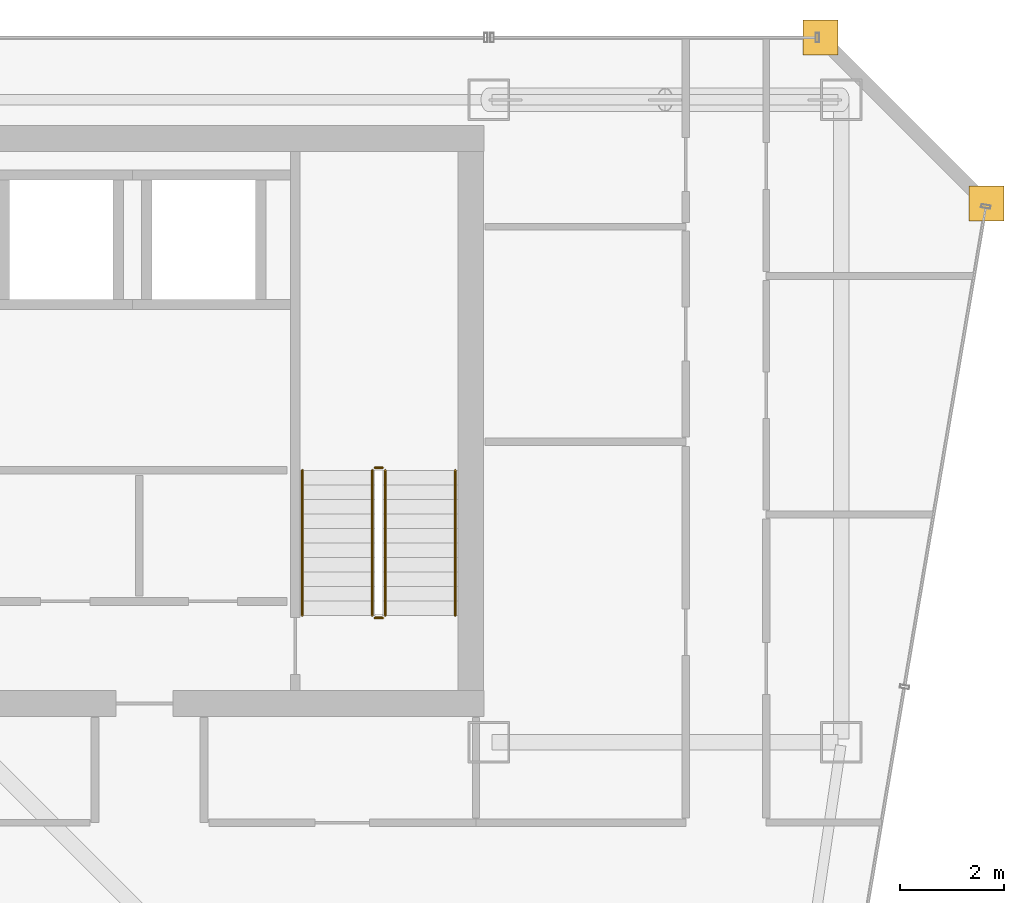
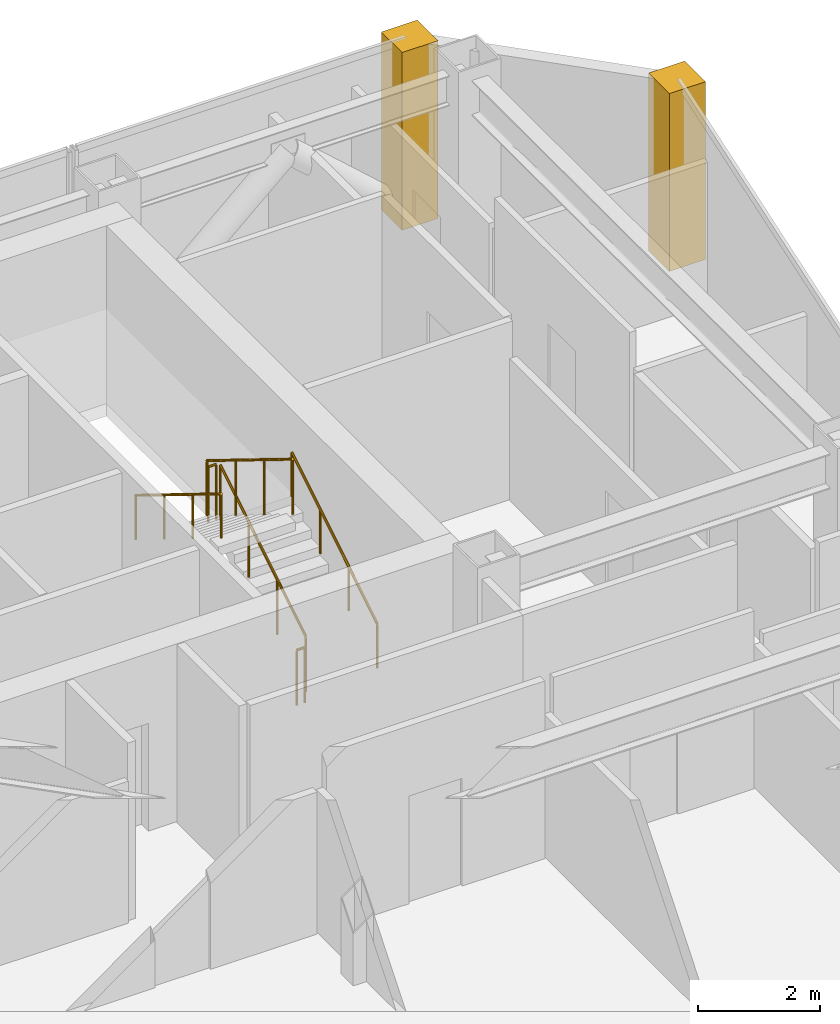
# One storey, part 36 of 36: 6 railings, 2 coverings.
"""IFC4 building model written with IfcOpenShell, lengths in metres."""

from ifc_helpers import new_model, si_unit, direction, frame, origin, origin_2d, place, context, subcontext, project, spatial, polyline, circle, outline, extrude, material, layer, layer_set, type_object, element, save


model = new_model("IFC4")

# Units and contexts
model_context = context("Model", 3, precision=1e-05, world=origin(), true_north=direction((0.0, 1.0)))
body_context = subcontext(model_context, "Body", "Model", "MODEL_VIEW")
ifc_project = project(units=[si_unit("LENGTHUNIT", "METRE"), si_unit("AREAUNIT", "SQUARE_METRE"), si_unit("VOLUMEUNIT", "CUBIC_METRE"), si_unit("PLANEANGLEUNIT", "RADIAN"), si_unit("MASSUNIT", "GRAM", prefix="KILO")], contexts=[model_context])

# Site, building, storey
site_placement = place(None, origin())
site = spatial("IfcSite", under=ifc_project, at=site_placement, CompositionType="ELEMENT")
building_placement = place(site_placement, origin())
building = spatial("IfcBuilding", under=site, at=building_placement, Name="Saevonmaru Cultural Tower", CompositionType="ELEMENT")
storey_placement = place(building_placement, frame((0.0, 0.0, 201.800048828125)))
storey = spatial("IfcBuildingStorey", under=building, at=storey_placement, Name="L46", CompositionType="ELEMENT", Elevation=201.800048828125)

# Coverings
ifc_material_1 = material(Name="Satin Bronze Anodised Aluminium", Category="aluminium")
ifc_layer = layer(ifc_material_1, 0.679931640625, Name="Satin Bronze Anodised Aluminium")
ifc_layer_set = layer_set([ifc_layer], Name="Satin Bronze Anodised Aluminium")
covering_type = type_object("IfcCoveringType", Name="CV-CORNER-CLAD", PredefinedType="CLADDING", material=ifc_layer_set)
covering_1_placement = place(storey_placement, origin())
element("IfcCovering", 1, at=covering_1_placement, inside=storey, type_object=covering_type, Name="L46 Tower Bronze Corner Cladding Pier 9", PredefinedType="CLADDING", context=body_context, shape_type="SweptSolid", body=[
    extrude(outline(polyline([(55.659912109375, 52.4599609375), (56.340087890625, 52.4599609375), (56.340087890625, 53.139892578125), (55.659912109375, 53.139892578125), (55.659912109375, 52.4599609375)])), origin(), (0.0, 0.0, 1.0), 3.550048828125),
])
covering_2_placement = place(storey_placement, origin())
element("IfcCovering", 2, at=covering_2_placement, inside=storey, type_object=covering_type, Name="L46 Tower Bronze Corner Cladding Pier 10", PredefinedType="CLADDING", context=body_context, shape_type="SweptSolid", body=[
    extrude(outline(polyline([(52.4599609375, 55.659912109375), (53.139892578125, 55.659912109375), (53.139892578125, 56.340087890625), (52.4599609375, 56.340087890625), (52.4599609375, 55.659912109375)])), origin(), (0.0, 0.0, 1.0), 3.550048828125),
])

# Railings
ifc_material_2 = material(Name="Architectural Painted Steel", Category="steel")
railing_type_1 = type_object("IfcRailingType", Name="RL-STAIR-GUARD", PredefinedType="GUARDRAIL", material=ifc_material_2)
railing_1_placement = place(storey_placement, frame((44.39990234375, 44.85009765625, 0.172607421875)))
element("IfcRailing", 3, at=railing_1_placement, inside=storey, type_object=railing_type_1, Name="L46 ST-2 stair guard 1", PredefinedType="GUARDRAIL", context=body_context, shape_type="SweptSolid", body=[
    extrude(circle(Radius=0.02392578125, at=origin_2d()), frame((0.0, 0.0, 1.09619140625), z_axis=(0.0, 0.851069175582, 0.525053576669), x_axis=(-1.0, 0.0, 0.0)), (0.0, 0.0, 1.0), 3.289794921875),
    extrude(circle(Radius=0.02099609375, at=origin_2d()), origin(), (0.0, 0.0, 1.0), 1.072021484375),
    extrude(circle(Radius=0.02099609375, at=origin_2d()), frame((0.0, 0.933349609375, 0.57568359375)), (0.0, 0.0, 1.0), 1.072021484375),
    extrude(circle(Radius=0.02099609375, at=origin_2d()), frame((0.0, 1.866455078125, 1.151611328125)), (0.0, 0.0, 1.0), 1.072021484375),
    extrude(circle(Radius=0.02099609375, at=origin_2d()), frame((0.0, 2.7998046875, 1.727294921875)), (0.0, 0.0, 1.0), 1.072021484375),
])
railing_2_placement = place(storey_placement, frame((44.35009765625, 47.699951171875, 1.89990234375)))
element("IfcRailing", 4, at=railing_2_placement, inside=storey, type_object=railing_type_1, Name="L46 ST-2 stair guard 2", PredefinedType="GUARDRAIL", context=body_context, shape_type="SweptSolid", body=[
    extrude(circle(Radius=0.02392578125, at=origin_2d()), frame((0.0, 0.0, 1.09619140625), z_axis=(-1.0, 0.0, 0.0), x_axis=(0.0, -1.0, 0.0)), (0.0, 0.0, 1.0), 0.150146484375),
    extrude(circle(Radius=0.02099609375, at=origin_2d()), origin(), (0.0, 0.0, 1.0), 1.072021484375),
    extrude(circle(Radius=0.02099609375, at=origin_2d()), frame((-0.150146484375, 0.0, 0.0)), (0.0, 0.0, 1.0), 1.072021484375),
])
railing_3_placement = place(storey_placement, frame((44.14990234375, 47.64990234375, 2.07275390625)))
element("IfcRailing", 5, at=railing_3_placement, inside=storey, type_object=railing_type_1, Name="L46 ST-2 stair guard 3", PredefinedType="GUARDRAIL", context=body_context, shape_type="SweptSolid", body=[
    extrude(circle(Radius=0.02392578125, at=origin_2d()), frame((0.0, 0.0, 1.09619140625), z_axis=(0.0, -0.851069175582, 0.525053576669), x_axis=(1.0, 0.0, 0.0)), (0.0, 0.0, 1.0), 3.289794921875),
    extrude(circle(Radius=0.02099609375, at=origin_2d()), origin(), (0.0, 0.0, 1.0), 1.072021484375),
    extrude(circle(Radius=0.02099609375, at=origin_2d()), frame((0.0, -0.933349609375, 0.57568359375)), (0.0, 0.0, 1.0), 1.072021484375),
    extrude(circle(Radius=0.02099609375, at=origin_2d()), frame((0.0, -1.866455078125, 1.151611328125)), (0.0, 0.0, 1.0), 1.072021484375),
    extrude(circle(Radius=0.02099609375, at=origin_2d()), frame((0.0, -2.7998046875, 1.727294921875)), (0.0, 0.0, 1.0), 1.072021484375),
])
railing_4_placement = place(storey_placement, frame((44.35009765625, 44.800048828125, 0.0)))
element("IfcRailing", 6, at=railing_4_placement, inside=storey, type_object=railing_type_1, Name="L46 ST-2 stair guard 4", PredefinedType="GUARDRAIL", context=body_context, shape_type="SweptSolid", body=[
    extrude(circle(Radius=0.02392578125, at=origin_2d()), frame((0.0, 0.0, 1.09619140625), z_axis=(-1.0, 0.0, 0.0), x_axis=(0.0, -1.0, 0.0)), (0.0, 0.0, 1.0), 0.150146484375),
    extrude(circle(Radius=0.02099609375, at=origin_2d()), origin(), (0.0, 0.0, 1.0), 1.072021484375),
    extrude(circle(Radius=0.02099609375, at=origin_2d()), frame((-0.150146484375, 0.0, 0.0)), (0.0, 0.0, 1.0), 1.072021484375),
])
railing_type_2 = type_object("IfcRailingType", Name="RL-STAIR-HANDRAIL", PredefinedType="HANDRAIL", material=ifc_material_1)
railing_5_placement = place(storey_placement, frame((45.75, 44.85009765625, 0.172607421875)))
element("IfcRailing", 7, at=railing_5_placement, inside=storey, type_object=railing_type_2, Name="L46 ST-2 stair handrail 1", PredefinedType="HANDRAIL", context=body_context, shape_type="SweptSolid", body=[
    extrude(circle(Radius=0.02392578125, at=origin_2d()), frame((0.0, 0.0, 0.8759765625), z_axis=(0.0, 0.851069175582, 0.525053576669), x_axis=(-1.0, 0.0, 0.0)), (0.0, 0.0, 1.0), 3.289794921875),
    extrude(circle(Radius=0.02099609375, at=origin_2d()), origin(), (0.0, 0.0, 1.0), 0.851806640625),
    extrude(circle(Radius=0.02099609375, at=origin_2d()), frame((0.0, 0.933349609375, 0.57568359375)), (0.0, 0.0, 1.0), 0.851806640625),
    extrude(circle(Radius=0.02099609375, at=origin_2d()), frame((0.0, 1.866455078125, 1.151611328125)), (0.0, 0.0, 1.0), 0.851806640625),
    extrude(circle(Radius=0.02099609375, at=origin_2d()), frame((0.0, 2.7998046875, 1.727294921875)), (0.0, 0.0, 1.0), 0.851806640625),
])
railing_6_placement = place(storey_placement, frame((42.800048828125, 47.64990234375, 2.07275390625)))
element("IfcRailing", 8, at=railing_6_placement, inside=storey, type_object=railing_type_2, Name="L46 ST-2 stair handrail 2", PredefinedType="HANDRAIL", context=body_context, shape_type="SweptSolid", body=[
    extrude(circle(Radius=0.02392578125, at=origin_2d()), frame((0.0, 0.0, 0.8759765625), z_axis=(0.0, -0.851069175582, 0.525053576669), x_axis=(1.0, 0.0, 0.0)), (0.0, 0.0, 1.0), 3.289794921875),
    extrude(circle(Radius=0.02099609375, at=origin_2d()), origin(), (0.0, 0.0, 1.0), 0.851806640625),
    extrude(circle(Radius=0.02099609375, at=origin_2d()), frame((0.0, -0.933349609375, 0.57568359375)), (0.0, 0.0, 1.0), 0.851806640625),
    extrude(circle(Radius=0.02099609375, at=origin_2d()), frame((0.0, -1.866455078125, 1.151611328125)), (0.0, 0.0, 1.0), 0.851806640625),
    extrude(circle(Radius=0.02099609375, at=origin_2d()), frame((0.0, -2.7998046875, 1.727294921875)), (0.0, 0.0, 1.0), 0.851806640625),
])

save(model, "model.ifc")
